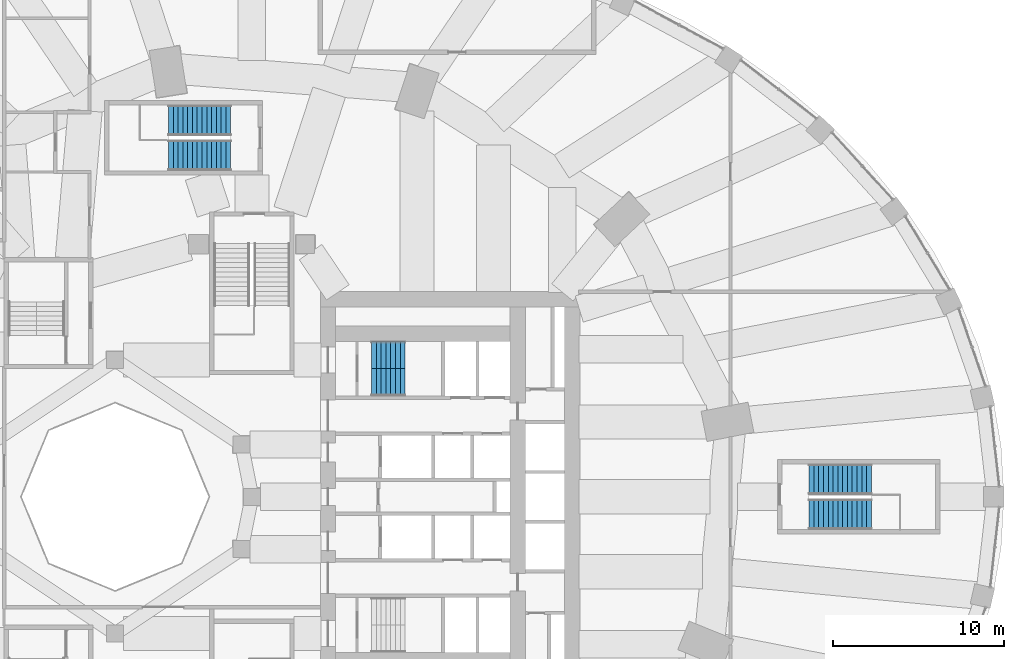
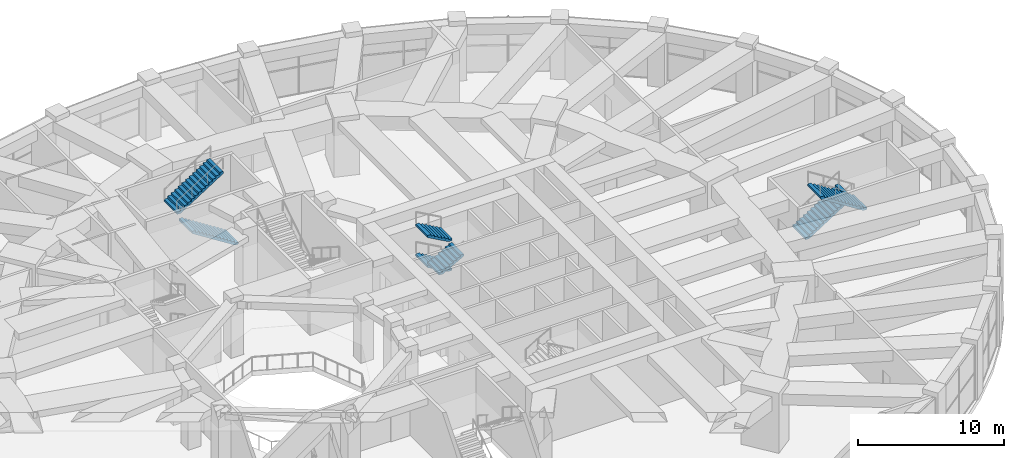
# One storey, part 27 of 32: 7 stair flights, 3 elements without a shape of their own.
"""IFC4 building model written with IfcOpenShell, lengths in metres."""

from ifc_helpers import new_model, si_unit, direction, frame, origin, place, context, subcontext, project, spatial, polyline, outline, extrude, material, type_object, element, aggregate, save


model = new_model("IFC4")

# Units and contexts
model_context = context("Model", 3, precision=1e-05, world=origin(), true_north=direction((0.0, 1.0)))
body_context = subcontext(model_context, "Body", "Model", "MODEL_VIEW")
ifc_project = project(units=[si_unit("LENGTHUNIT", "METRE"), si_unit("AREAUNIT", "SQUARE_METRE"), si_unit("VOLUMEUNIT", "CUBIC_METRE"), si_unit("PLANEANGLEUNIT", "RADIAN"), si_unit("MASSUNIT", "GRAM", prefix="KILO")], contexts=[model_context])

# Site, building, storey
site_placement = place(None, origin())
site = spatial("IfcSite", under=ifc_project, at=site_placement, CompositionType="ELEMENT")
building_placement = place(site_placement, origin())
building = spatial("IfcBuilding", under=site, at=building_placement, Name="Taillehof Tower", CompositionType="ELEMENT")
storey_placement = place(building_placement, frame((0.0, 0.0, 7.5)))
storey = spatial("IfcBuildingStorey", under=building, at=storey_placement, Name="L01", CompositionType="ELEMENT", Elevation=7.5)

# Stair, stair flights
ifc_material_1 = material(Name="Concrete C40/50", Category="concrete")
stair_type_1 = type_object("IfcStairType", Name="Exit stair half-turn", PredefinedType="HALF_TURN_STAIR", material=ifc_material_1)
stair_1_placement = place(storey_placement, origin())
stair_1 = element("IfcStair", 1, at=stair_1_placement, inside=storey, type_object=stair_type_1, Name="Exit stair S1", PredefinedType="HALF_TURN_STAIR")
ifc_material_2 = material(Name="Concrete C40/50", Category="concrete")
stair_flight_type_1 = type_object("IfcStairFlightType", Name="Stair flight 1600 riser 156.2 going 280", PredefinedType="STRAIGHT", material=ifc_material_2)
stair_flight_1_placement = place(storey_placement, frame((8.9599609375, 8.300048828125, 1.25), z_axis=(0.0, 0.0, 1.0), x_axis=(-1.0, 0.0, 0.0)))
stair_flight_1 = element("IfcStairFlight", 2, at=stair_flight_1_placement, type_object=stair_flight_type_1, Name="S1 flight 2", NumberOfRisers=8, NumberOfTreads=7, PredefinedType="STRAIGHT", RiserHeight=0.15625, TreadLength=0.28, context=body_context, shape_type="SweptSolid", body=[
    extrude(outline(polyline([(0.0, 0.0), (0.0, 0.00634765625), (0.0, 0.012451171875), (0.0, 0.018798828125), (0.0, 0.02490234375), (0.0, 0.03125), (0.0, 0.03759765625), (0.0, 0.043701171875), (0.0, 0.050048828125), (0.0, 0.05615234375), (0.0, 0.0625), (0.0, 0.06884765625), (0.0, 0.074951171875), (0.0, 0.081298828125), (0.0, 0.08740234375), (0.0, 0.09375), (0.0, 0.10009765625), (0.0, 0.106201171875), (0.0, 0.112548828125), (0.0, 0.11865234375), (0.0, 0.125), (0.0, 0.13134765625), (0.0, 0.137451171875), (0.0, 0.143798828125), (0.0, 0.14990234375), (0.0, 0.15625), (0.280029296875, 0.15625), (0.280029296875, 0.3125), (0.56005859375, 0.3125), (0.56005859375, 0.46875), (0.840087890625, 0.46875), (0.840087890625, 0.625), (1.1201171875, 0.625), (1.1201171875, 0.78125), (1.39990234375, 0.78125), (1.39990234375, 0.9375), (1.679931640625, 0.9375), (1.679931640625, 1.09375), (1.9599609375, 1.09375), (1.9599609375, 1.0869140625), (1.9599609375, 1.080078125), (1.9599609375, 1.0732421875), (1.9599609375, 1.066162109375), (1.9599609375, 1.059326171875), (1.9599609375, 1.052490234375), (1.9599609375, 1.045654296875), (1.9599609375, 1.038818359375), (1.9599609375, 1.031982421875), (1.9599609375, 1.025146484375), (1.9599609375, 1.018310546875), (1.9599609375, 1.01123046875), (1.9599609375, 1.00439453125), (1.9599609375, 0.99755859375), (1.9599609375, 0.99072265625), (1.9599609375, 0.98388671875), (1.9599609375, 0.97705078125), (1.9599609375, 0.97021484375), (1.9599609375, 0.96337890625), (1.9599609375, 0.956298828125), (1.9599609375, 0.949462890625), (1.9599609375, 0.942626953125), (1.9599609375, 0.935791015625), (1.9599609375, 0.928955078125), (1.9599609375, 0.922119140625), (0.3076171875, 0.0), (0.0, 0.0)])), frame((0.0, 0.800048828125, 0.0), z_axis=(0.0, -1.0, 0.0), x_axis=(1.0, 0.0, 0.0)), (0.0, 0.0, 1.0), 1.6),
])
stair_flight_2_placement = place(storey_placement, frame((7.0, 6.699951171875, 2.5), z_axis=(0.0, 0.0, 1.0), x_axis=(1.0, 0.0, 0.0)))
stair_flight_2 = element("IfcStairFlight", 3, at=stair_flight_2_placement, type_object=stair_flight_type_1, Name="S1 flight 3", NumberOfRisers=8, NumberOfTreads=7, PredefinedType="STRAIGHT", RiserHeight=0.15625, TreadLength=0.28, context=body_context, shape_type="SweptSolid", body=[
    extrude(outline(polyline([(0.0, 0.0), (0.0, 0.00634765625), (0.0, 0.012451171875), (0.0, 0.018798828125), (0.0, 0.02490234375), (0.0, 0.03125), (0.0, 0.03759765625), (0.0, 0.043701171875), (0.0, 0.050048828125), (0.0, 0.05615234375), (0.0, 0.0625), (0.0, 0.06884765625), (0.0, 0.074951171875), (0.0, 0.081298828125), (0.0, 0.08740234375), (0.0, 0.09375), (0.0, 0.10009765625), (0.0, 0.106201171875), (0.0, 0.112548828125), (0.0, 0.11865234375), (0.0, 0.125), (0.0, 0.13134765625), (0.0, 0.137451171875), (0.0, 0.143798828125), (0.0, 0.14990234375), (0.0, 0.15625), (0.280029296875, 0.15625), (0.280029296875, 0.3125), (0.56005859375, 0.3125), (0.56005859375, 0.46875), (0.840087890625, 0.46875), (0.840087890625, 0.625), (1.1201171875, 0.625), (1.1201171875, 0.78125), (1.39990234375, 0.78125), (1.39990234375, 0.9375), (1.679931640625, 0.9375), (1.679931640625, 1.09375), (1.9599609375, 1.09375), (1.9599609375, 1.0869140625), (1.9599609375, 1.080078125), (1.9599609375, 1.0732421875), (1.9599609375, 1.066162109375), (1.9599609375, 1.059326171875), (1.9599609375, 1.052490234375), (1.9599609375, 1.045654296875), (1.9599609375, 1.038818359375), (1.9599609375, 1.031982421875), (1.9599609375, 1.025146484375), (1.9599609375, 1.018310546875), (1.9599609375, 1.01123046875), (1.9599609375, 1.00439453125), (1.9599609375, 0.99755859375), (1.9599609375, 0.99072265625), (1.9599609375, 0.98388671875), (1.9599609375, 0.97705078125), (1.9599609375, 0.97021484375), (1.9599609375, 0.96337890625), (1.9599609375, 0.956298828125), (1.9599609375, 0.949462890625), (1.9599609375, 0.942626953125), (1.9599609375, 0.935791015625), (1.9599609375, 0.928955078125), (1.9599609375, 0.922119140625), (0.3076171875, 0.0), (0.0, 0.0)])), frame((0.0, 0.800048828125, 0.0), z_axis=(0.0, -1.0, 0.0), x_axis=(1.0, 0.0, 0.0)), (0.0, 0.0, 1.0), 1.6),
])
stair_flight_3_placement = place(storey_placement, frame((8.9599609375, 8.300048828125, 3.75), z_axis=(0.0, 0.0, 1.0), x_axis=(-1.0, 0.0, 0.0)))
stair_flight_3 = element("IfcStairFlight", 4, at=stair_flight_3_placement, type_object=stair_flight_type_1, Name="S1 flight 4", NumberOfRisers=8, NumberOfTreads=7, PredefinedType="STRAIGHT", RiserHeight=0.15625, TreadLength=0.28, context=body_context, shape_type="SweptSolid", body=[
    extrude(outline(polyline([(0.0, 0.0), (0.0, 0.00634765625), (0.0, 0.012451171875), (0.0, 0.018798828125), (0.0, 0.02490234375), (0.0, 0.03125), (0.0, 0.03759765625), (0.0, 0.043701171875), (0.0, 0.050048828125), (0.0, 0.05615234375), (0.0, 0.0625), (0.0, 0.06884765625), (0.0, 0.074951171875), (0.0, 0.081298828125), (0.0, 0.08740234375), (0.0, 0.09375), (0.0, 0.10009765625), (0.0, 0.106201171875), (0.0, 0.112548828125), (0.0, 0.11865234375), (0.0, 0.125), (0.0, 0.13134765625), (0.0, 0.137451171875), (0.0, 0.143798828125), (0.0, 0.14990234375), (0.0, 0.15625), (0.280029296875, 0.15625), (0.280029296875, 0.3125), (0.56005859375, 0.3125), (0.56005859375, 0.46875), (0.840087890625, 0.46875), (0.840087890625, 0.625), (1.1201171875, 0.625), (1.1201171875, 0.78125), (1.39990234375, 0.78125), (1.39990234375, 0.9375), (1.679931640625, 0.9375), (1.679931640625, 1.09375), (1.9599609375, 1.09375), (1.9599609375, 1.0869140625), (1.9599609375, 1.080078125), (1.9599609375, 1.0732421875), (1.9599609375, 1.066162109375), (1.9599609375, 1.059326171875), (1.9599609375, 1.052490234375), (1.9599609375, 1.045654296875), (1.9599609375, 1.038818359375), (1.9599609375, 1.031982421875), (1.9599609375, 1.025146484375), (1.9599609375, 1.018310546875), (1.9599609375, 1.01123046875), (1.9599609375, 1.00439453125), (1.9599609375, 0.99755859375), (1.9599609375, 0.99072265625), (1.9599609375, 0.98388671875), (1.9599609375, 0.97705078125), (1.9599609375, 0.97021484375), (1.9599609375, 0.96337890625), (1.9599609375, 0.956298828125), (1.9599609375, 0.949462890625), (1.9599609375, 0.942626953125), (1.9599609375, 0.935791015625), (1.9599609375, 0.928955078125), (1.9599609375, 0.922119140625), (0.3076171875, 0.0), (0.0, 0.0)])), frame((0.0, 0.800048828125, 0.0), z_axis=(0.0, -1.0, 0.0), x_axis=(1.0, 0.0, 0.0)), (0.0, 0.0, 1.0), 1.6),
])
aggregate(stair_1, [stair_flight_1, stair_flight_2, stair_flight_3])

ifc_material_3 = material(Name="Concrete C30/37", Category="concrete")
stair_type_2 = type_object("IfcStairType", Name="Escape stair 1800 mm", PredefinedType="HALF_TURN_STAIR", material=ifc_material_3)
stair_2_placement = place(storey_placement, origin())
stair_2 = element("IfcStair", 5, at=stair_2_placement, inside=storey, type_object=stair_type_2, Name="Escape stair P3", PredefinedType="HALF_TURN_STAIR")
ifc_material_4 = material(Name="Concrete C30/37", Category="concrete")
stair_flight_type_2 = type_object("IfcStairFlightType", Name="Stair flight 1800 mm", PredefinedType="STRAIGHT", material=ifc_material_4)
stair_flight_4_placement = place(storey_placement, frame((-1.239990234375, 19.97509765625, 0.0), z_axis=(0.0, 0.0, 1.0), x_axis=(-1.0, 0.0, 0.0)))
stair_flight_4 = element("IfcStairFlight", 6, at=stair_flight_4_placement, type_object=stair_flight_type_2, Name="P3 flight 1", NumberOfRisers=14, NumberOfTreads=13, PredefinedType="STRAIGHT", RiserHeight=0.178571429, TreadLength=0.28, context=body_context, shape_type="SweptSolid", body=[
    extrude(outline(polyline([(0.0, 0.0), (0.0, 0.004150390625), (0.0, 0.00830078125), (0.0, 0.012451171875), (0.0, 0.0166015625), (0.0, 0.020751953125), (0.0, 0.02490234375), (0.0, 0.029052734375), (0.0, 0.033203125), (0.0, 0.037353515625), (0.0, 0.04150390625), (0.0, 0.045654296875), (0.0, 0.0498046875), (0.0, 0.053955078125), (0.0, 0.05810546875), (0.0, 0.062255859375), (0.0, 0.06640625), (0.0, 0.070556640625), (0.0, 0.07470703125), (0.0, 0.078857421875), (0.0, 0.0830078125), (0.0, 0.087158203125), (0.0, 0.09130859375), (0.0, 0.095458984375), (0.0, 0.099609375), (0.0, 0.103759765625), (0.0, 0.10791015625), (0.0, 0.112060546875), (0.0, 0.1162109375), (0.0, 0.120361328125), (0.0, 0.12451171875), (0.0, 0.128662109375), (0.0, 0.1328125), (0.0, 0.136962890625), (0.0, 0.14111328125), (0.0, 0.145263671875), (0.0, 0.1494140625), (0.0, 0.153564453125), (0.0, 0.15771484375), (0.0, 0.161865234375), (0.0, 0.166015625), (0.0, 0.170166015625), (0.0, 0.17431640625), (0.0, 0.178466796875), (0.280029296875, 0.178466796875), (0.280029296875, 0.357177734375), (0.56005859375, 0.357177734375), (0.56005859375, 0.53564453125), (0.840087890625, 0.53564453125), (0.840087890625, 0.71435546875), (1.1201171875, 0.71435546875), (1.1201171875, 0.892822265625), (1.39990234375, 0.892822265625), (1.39990234375, 1.071533203125), (1.679931640625, 1.071533203125), (1.679931640625, 1.25), (1.9599609375, 1.25), (1.9599609375, 1.428466796875), (2.239990234375, 1.428466796875), (2.239990234375, 1.607177734375), (2.52001953125, 1.607177734375), (2.52001953125, 1.78564453125), (2.800048828125, 1.78564453125), (2.800048828125, 1.96435546875), (3.080078125, 1.96435546875), (3.080078125, 2.142822265625), (3.360107421875, 2.142822265625), (3.360107421875, 2.321533203125), (3.639892578125, 2.321533203125), (3.639892578125, 2.3173828125), (3.639892578125, 2.313232421875), (3.639892578125, 2.30908203125), (3.639892578125, 2.304931640625), (3.639892578125, 2.30078125), (3.639892578125, 2.296630859375), (3.639892578125, 2.29248046875), (3.639892578125, 2.288330078125), (3.639892578125, 2.2841796875), (3.639892578125, 2.280029296875), (3.639892578125, 2.27587890625), (3.639892578125, 2.271728515625), (3.639892578125, 2.267578125), (3.639892578125, 2.263427734375), (3.639892578125, 2.259521484375), (3.639892578125, 2.25537109375), (3.639892578125, 2.251220703125), (3.639892578125, 2.2470703125), (3.639892578125, 2.242919921875), (3.639892578125, 2.23876953125), (3.639892578125, 2.234619140625), (3.639892578125, 2.23046875), (3.639892578125, 2.226318359375), (3.639892578125, 2.22216796875), (3.639892578125, 2.218017578125), (3.639892578125, 2.2138671875), (3.639892578125, 2.209716796875), (3.639892578125, 2.20556640625), (3.639892578125, 2.201416015625), (3.639892578125, 2.197265625), (3.639892578125, 2.193359375), (3.639892578125, 2.189208984375), (3.639892578125, 2.18505859375), (3.639892578125, 2.180908203125), (3.639892578125, 2.1767578125), (3.639892578125, 2.172607421875), (3.639892578125, 2.16845703125), (3.639892578125, 2.164306640625), (3.639892578125, 2.16015625), (3.639892578125, 2.156005859375), (3.639892578125, 2.15185546875), (3.639892578125, 2.147705078125), (3.639892578125, 2.1435546875), (0.27880859375, 0.0), (0.0, 0.0)])), frame((0.0, 0.89990234375, 0.0), z_axis=(0.0, -1.0, 0.0), x_axis=(1.0, 0.0, 0.0)), (0.0, 0.0, 1.0), 1.8),
])
stair_flight_5_placement = place(storey_placement, frame((-4.8798828125, 22.02490234375, 2.5), z_axis=(0.0, 0.0, 1.0), x_axis=(1.0, 0.0, 0.0)))
stair_flight_5 = element("IfcStairFlight", 7, at=stair_flight_5_placement, type_object=stair_flight_type_2, Name="P3 flight 2", NumberOfRisers=14, NumberOfTreads=13, PredefinedType="STRAIGHT", RiserHeight=0.178571429, TreadLength=0.28, context=body_context, shape_type="SweptSolid", body=[
    extrude(outline(polyline([(0.0, 0.0), (0.0, 0.004150390625), (0.0, 0.00830078125), (0.0, 0.012451171875), (0.0, 0.0166015625), (0.0, 0.020751953125), (0.0, 0.02490234375), (0.0, 0.029052734375), (0.0, 0.033203125), (0.0, 0.037353515625), (0.0, 0.04150390625), (0.0, 0.045654296875), (0.0, 0.0498046875), (0.0, 0.053955078125), (0.0, 0.05810546875), (0.0, 0.062255859375), (0.0, 0.06640625), (0.0, 0.070556640625), (0.0, 0.07470703125), (0.0, 0.078857421875), (0.0, 0.0830078125), (0.0, 0.087158203125), (0.0, 0.09130859375), (0.0, 0.095458984375), (0.0, 0.099609375), (0.0, 0.103759765625), (0.0, 0.10791015625), (0.0, 0.112060546875), (0.0, 0.1162109375), (0.0, 0.120361328125), (0.0, 0.12451171875), (0.0, 0.128662109375), (0.0, 0.1328125), (0.0, 0.136962890625), (0.0, 0.14111328125), (0.0, 0.145263671875), (0.0, 0.1494140625), (0.0, 0.153564453125), (0.0, 0.15771484375), (0.0, 0.161865234375), (0.0, 0.166015625), (0.0, 0.170166015625), (0.0, 0.17431640625), (0.0, 0.178466796875), (0.280029296875, 0.178466796875), (0.280029296875, 0.357177734375), (0.56005859375, 0.357177734375), (0.56005859375, 0.53564453125), (0.840087890625, 0.53564453125), (0.840087890625, 0.71435546875), (1.1201171875, 0.71435546875), (1.1201171875, 0.892822265625), (1.39990234375, 0.892822265625), (1.39990234375, 1.071533203125), (1.679931640625, 1.071533203125), (1.679931640625, 1.25), (1.9599609375, 1.25), (1.9599609375, 1.428466796875), (2.239990234375, 1.428466796875), (2.239990234375, 1.607177734375), (2.52001953125, 1.607177734375), (2.52001953125, 1.78564453125), (2.800048828125, 1.78564453125), (2.800048828125, 1.96435546875), (3.080078125, 1.96435546875), (3.080078125, 2.142822265625), (3.360107421875, 2.142822265625), (3.360107421875, 2.321533203125), (3.639892578125, 2.321533203125), (3.639892578125, 2.3173828125), (3.639892578125, 2.313232421875), (3.639892578125, 2.30908203125), (3.639892578125, 2.304931640625), (3.639892578125, 2.30078125), (3.639892578125, 2.296630859375), (3.639892578125, 2.29248046875), (3.639892578125, 2.288330078125), (3.639892578125, 2.2841796875), (3.639892578125, 2.280029296875), (3.639892578125, 2.27587890625), (3.639892578125, 2.271728515625), (3.639892578125, 2.267578125), (3.639892578125, 2.263427734375), (3.639892578125, 2.259521484375), (3.639892578125, 2.25537109375), (3.639892578125, 2.251220703125), (3.639892578125, 2.2470703125), (3.639892578125, 2.242919921875), (3.639892578125, 2.23876953125), (3.639892578125, 2.234619140625), (3.639892578125, 2.23046875), (3.639892578125, 2.226318359375), (3.639892578125, 2.22216796875), (3.639892578125, 2.218017578125), (3.639892578125, 2.2138671875), (3.639892578125, 2.209716796875), (3.639892578125, 2.20556640625), (3.639892578125, 2.201416015625), (3.639892578125, 2.197265625), (3.639892578125, 2.193359375), (3.639892578125, 2.189208984375), (3.639892578125, 2.18505859375), (3.639892578125, 2.180908203125), (3.639892578125, 2.1767578125), (3.639892578125, 2.172607421875), (3.639892578125, 2.16845703125), (3.639892578125, 2.164306640625), (3.639892578125, 2.16015625), (3.639892578125, 2.156005859375), (3.639892578125, 2.15185546875), (3.639892578125, 2.147705078125), (3.639892578125, 2.1435546875), (0.27880859375, 0.0), (0.0, 0.0)])), frame((0.0, 0.89990234375, 0.0), z_axis=(0.0, -1.0, 0.0), x_axis=(1.0, 0.0, 0.0)), (0.0, 0.0, 1.0), 1.8),
])
aggregate(stair_2, [stair_flight_4, stair_flight_5])

stair_3_placement = place(storey_placement, origin())
stair_3 = element("IfcStair", 8, at=stair_3_placement, inside=storey, type_object=stair_type_2, Name="Escape stair P5", PredefinedType="HALF_TURN_STAIR")
stair_flight_6_placement = place(storey_placement, frame((32.60009765625, 1.02490234375, 0.0), z_axis=(0.0, 0.0, 1.0), x_axis=(1.0, 0.0, 0.0)))
stair_flight_6 = element("IfcStairFlight", 9, at=stair_flight_6_placement, type_object=stair_flight_type_2, Name="P5 flight 1", NumberOfRisers=14, NumberOfTreads=13, PredefinedType="STRAIGHT", RiserHeight=0.178571429, TreadLength=0.28, context=body_context, shape_type="SweptSolid", body=[
    extrude(outline(polyline([(0.0, 0.0), (0.0, 0.004150390625), (0.0, 0.00830078125), (0.0, 0.012451171875), (0.0, 0.0166015625), (0.0, 0.020751953125), (0.0, 0.02490234375), (0.0, 0.029052734375), (0.0, 0.033203125), (0.0, 0.037353515625), (0.0, 0.04150390625), (0.0, 0.045654296875), (0.0, 0.0498046875), (0.0, 0.053955078125), (0.0, 0.05810546875), (0.0, 0.062255859375), (0.0, 0.06640625), (0.0, 0.070556640625), (0.0, 0.07470703125), (0.0, 0.078857421875), (0.0, 0.0830078125), (0.0, 0.087158203125), (0.0, 0.09130859375), (0.0, 0.095458984375), (0.0, 0.099609375), (0.0, 0.103759765625), (0.0, 0.10791015625), (0.0, 0.112060546875), (0.0, 0.1162109375), (0.0, 0.120361328125), (0.0, 0.12451171875), (0.0, 0.128662109375), (0.0, 0.1328125), (0.0, 0.136962890625), (0.0, 0.14111328125), (0.0, 0.145263671875), (0.0, 0.1494140625), (0.0, 0.153564453125), (0.0, 0.15771484375), (0.0, 0.161865234375), (0.0, 0.166015625), (0.0, 0.170166015625), (0.0, 0.17431640625), (0.0, 0.178466796875), (0.280029296875, 0.178466796875), (0.280029296875, 0.357177734375), (0.56005859375, 0.357177734375), (0.56005859375, 0.53564453125), (0.840087890625, 0.53564453125), (0.840087890625, 0.71435546875), (1.1201171875, 0.71435546875), (1.1201171875, 0.892822265625), (1.39990234375, 0.892822265625), (1.39990234375, 1.071533203125), (1.679931640625, 1.071533203125), (1.679931640625, 1.25), (1.9599609375, 1.25), (1.9599609375, 1.428466796875), (2.239990234375, 1.428466796875), (2.239990234375, 1.607177734375), (2.52001953125, 1.607177734375), (2.52001953125, 1.78564453125), (2.800048828125, 1.78564453125), (2.800048828125, 1.96435546875), (3.080078125, 1.96435546875), (3.080078125, 2.142822265625), (3.360107421875, 2.142822265625), (3.360107421875, 2.321533203125), (3.639892578125, 2.321533203125), (3.639892578125, 2.3173828125), (3.639892578125, 2.313232421875), (3.639892578125, 2.30908203125), (3.639892578125, 2.304931640625), (3.639892578125, 2.30078125), (3.639892578125, 2.296630859375), (3.639892578125, 2.29248046875), (3.639892578125, 2.288330078125), (3.639892578125, 2.2841796875), (3.639892578125, 2.280029296875), (3.639892578125, 2.27587890625), (3.639892578125, 2.271728515625), (3.639892578125, 2.267578125), (3.639892578125, 2.263427734375), (3.639892578125, 2.259521484375), (3.639892578125, 2.25537109375), (3.639892578125, 2.251220703125), (3.639892578125, 2.2470703125), (3.639892578125, 2.242919921875), (3.639892578125, 2.23876953125), (3.639892578125, 2.234619140625), (3.639892578125, 2.23046875), (3.639892578125, 2.226318359375), (3.639892578125, 2.22216796875), (3.639892578125, 2.218017578125), (3.639892578125, 2.2138671875), (3.639892578125, 2.209716796875), (3.639892578125, 2.20556640625), (3.639892578125, 2.201416015625), (3.639892578125, 2.197265625), (3.639892578125, 2.193359375), (3.639892578125, 2.189208984375), (3.639892578125, 2.18505859375), (3.639892578125, 2.180908203125), (3.639892578125, 2.1767578125), (3.639892578125, 2.172607421875), (3.639892578125, 2.16845703125), (3.639892578125, 2.164306640625), (3.639892578125, 2.16015625), (3.639892578125, 2.156005859375), (3.639892578125, 2.15185546875), (3.639892578125, 2.147705078125), (3.639892578125, 2.1435546875), (0.27880859375, 0.0), (0.0, 0.0)])), frame((0.0, 0.89990234375, 0.0), z_axis=(0.0, -1.0, 0.0), x_axis=(1.0, 0.0, 0.0)), (0.0, 0.0, 1.0), 1.8),
])
stair_flight_7_placement = place(storey_placement, frame((36.239990234375, -1.02490234375, 2.5), z_axis=(0.0, 0.0, 1.0), x_axis=(-1.0, 0.0, 0.0)))
stair_flight_7 = element("IfcStairFlight", 10, at=stair_flight_7_placement, type_object=stair_flight_type_2, Name="P5 flight 2", NumberOfRisers=14, NumberOfTreads=13, PredefinedType="STRAIGHT", RiserHeight=0.178571429, TreadLength=0.28, context=body_context, shape_type="SweptSolid", body=[
    extrude(outline(polyline([(0.0, 0.0), (0.0, 0.004150390625), (0.0, 0.00830078125), (0.0, 0.012451171875), (0.0, 0.0166015625), (0.0, 0.020751953125), (0.0, 0.02490234375), (0.0, 0.029052734375), (0.0, 0.033203125), (0.0, 0.037353515625), (0.0, 0.04150390625), (0.0, 0.045654296875), (0.0, 0.0498046875), (0.0, 0.053955078125), (0.0, 0.05810546875), (0.0, 0.062255859375), (0.0, 0.06640625), (0.0, 0.070556640625), (0.0, 0.07470703125), (0.0, 0.078857421875), (0.0, 0.0830078125), (0.0, 0.087158203125), (0.0, 0.09130859375), (0.0, 0.095458984375), (0.0, 0.099609375), (0.0, 0.103759765625), (0.0, 0.10791015625), (0.0, 0.112060546875), (0.0, 0.1162109375), (0.0, 0.120361328125), (0.0, 0.12451171875), (0.0, 0.128662109375), (0.0, 0.1328125), (0.0, 0.136962890625), (0.0, 0.14111328125), (0.0, 0.145263671875), (0.0, 0.1494140625), (0.0, 0.153564453125), (0.0, 0.15771484375), (0.0, 0.161865234375), (0.0, 0.166015625), (0.0, 0.170166015625), (0.0, 0.17431640625), (0.0, 0.178466796875), (0.280029296875, 0.178466796875), (0.280029296875, 0.357177734375), (0.56005859375, 0.357177734375), (0.56005859375, 0.53564453125), (0.840087890625, 0.53564453125), (0.840087890625, 0.71435546875), (1.1201171875, 0.71435546875), (1.1201171875, 0.892822265625), (1.39990234375, 0.892822265625), (1.39990234375, 1.071533203125), (1.679931640625, 1.071533203125), (1.679931640625, 1.25), (1.9599609375, 1.25), (1.9599609375, 1.428466796875), (2.239990234375, 1.428466796875), (2.239990234375, 1.607177734375), (2.52001953125, 1.607177734375), (2.52001953125, 1.78564453125), (2.800048828125, 1.78564453125), (2.800048828125, 1.96435546875), (3.080078125, 1.96435546875), (3.080078125, 2.142822265625), (3.360107421875, 2.142822265625), (3.360107421875, 2.321533203125), (3.639892578125, 2.321533203125), (3.639892578125, 2.3173828125), (3.639892578125, 2.313232421875), (3.639892578125, 2.30908203125), (3.639892578125, 2.304931640625), (3.639892578125, 2.30078125), (3.639892578125, 2.296630859375), (3.639892578125, 2.29248046875), (3.639892578125, 2.288330078125), (3.639892578125, 2.2841796875), (3.639892578125, 2.280029296875), (3.639892578125, 2.27587890625), (3.639892578125, 2.271728515625), (3.639892578125, 2.267578125), (3.639892578125, 2.263427734375), (3.639892578125, 2.259521484375), (3.639892578125, 2.25537109375), (3.639892578125, 2.251220703125), (3.639892578125, 2.2470703125), (3.639892578125, 2.242919921875), (3.639892578125, 2.23876953125), (3.639892578125, 2.234619140625), (3.639892578125, 2.23046875), (3.639892578125, 2.226318359375), (3.639892578125, 2.22216796875), (3.639892578125, 2.218017578125), (3.639892578125, 2.2138671875), (3.639892578125, 2.209716796875), (3.639892578125, 2.20556640625), (3.639892578125, 2.201416015625), (3.639892578125, 2.197265625), (3.639892578125, 2.193359375), (3.639892578125, 2.189208984375), (3.639892578125, 2.18505859375), (3.639892578125, 2.180908203125), (3.639892578125, 2.1767578125), (3.639892578125, 2.172607421875), (3.639892578125, 2.16845703125), (3.639892578125, 2.164306640625), (3.639892578125, 2.16015625), (3.639892578125, 2.156005859375), (3.639892578125, 2.15185546875), (3.639892578125, 2.147705078125), (3.639892578125, 2.1435546875), (0.27880859375, 0.0), (0.0, 0.0)])), frame((0.0, 0.89990234375, 0.0), z_axis=(0.0, -1.0, 0.0), x_axis=(1.0, 0.0, 0.0)), (0.0, 0.0, 1.0), 1.8),
])
aggregate(stair_3, [stair_flight_6, stair_flight_7])

save(model, "model.ifc")
